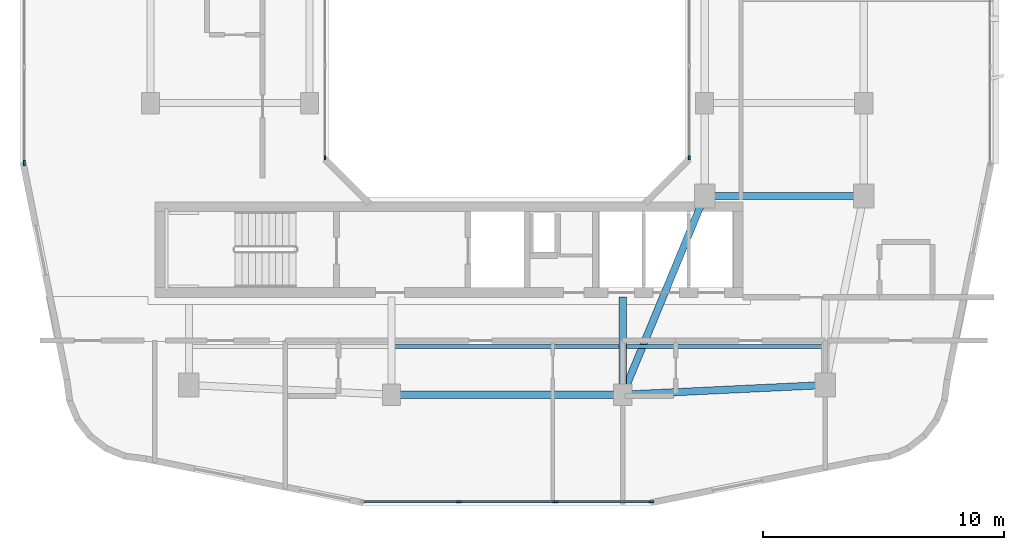
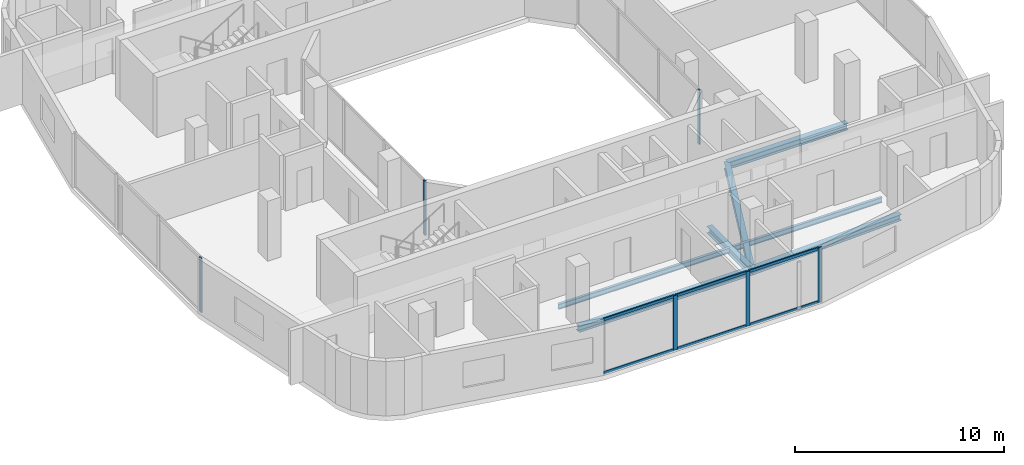
# One storey, part 2 of 14: 12 members, 7 beams, 4 elements without a shape of their own.
"""IFC4 building model written with IfcOpenShell, lengths in metres."""

from ifc_helpers import new_model, si_unit, derived_unit, direction, frame, origin, origin_2d, place, context, subcontext, project, spatial, rectangle, i_section, extrude, material, layer, layer_set, material_profile, profile_set, type_object, element, aggregate, save


model = new_model("IFC4")

# Units and contexts
model_context = context("Model", 3, precision=1e-05, world=origin(), true_north=direction((0.0, 1.0)))
body_context = subcontext(model_context, "Body", "Model", "MODEL_VIEW")
ifc_project = project(units=[si_unit("LENGTHUNIT", "METRE"), si_unit("AREAUNIT", "SQUARE_METRE"), si_unit("VOLUMEUNIT", "CUBIC_METRE"), si_unit("PLANEANGLEUNIT", "RADIAN"), si_unit("MASSUNIT", "GRAM", prefix="KILO"), derived_unit("THERMALTRANSMITTANCEUNIT", [(si_unit("POWERUNIT", "WATT"), 1), (si_unit("LENGTHUNIT", "METRE"), -2), (si_unit("THERMODYNAMICTEMPERATUREUNIT", "KELVIN"), -1)])], contexts=[model_context])

# Site, building, storey
site_placement = place(None, origin())
site = spatial("IfcSite", under=ifc_project, at=site_placement, CompositionType="ELEMENT")
building_placement = place(site_placement, origin())
building = spatial("IfcBuilding", under=site, at=building_placement, Name="Kivonza Crest Hotel", CompositionType="ELEMENT")
storey_placement = place(building_placement, frame((0.0, 0.0, 169.5)))
storey = spatial("IfcBuildingStorey", under=building, at=storey_placement, Name="L46", CompositionType="ELEMENT", Elevation=169.5)

# Beams
ifc_material_1 = material(Name="Steel S355", Category="steel")
ifc_material_profile_1 = material_profile(ifc_material_1, i_section(OverallWidth=0.300048828125, OverallDepth=0.360107421875, WebThickness=0.012451171875, FlangeThickness=0.0224609375, FilletRadius=0.027099609375, at=origin_2d()), Name="HEB 360")
ifc_profile_set_1 = profile_set([ifc_material_profile_1], Name="Steel S355")
beam_type_1 = type_object("IfcBeamType", Name="BM-HEB360", PredefinedType="SPANDREL", material=ifc_profile_set_1)
beam_1_placement = place(storey_placement, frame((16.199951171875, 9.39990234375, -0.4599609375), z_axis=(1.0, 0.0, 0.0), x_axis=(0.0, 1.0, 0.0)))
element("IfcBeam", 1, at=beam_1_placement, inside=storey, type_object=beam_type_1, Name="Tower T1 L46 perimeter spandrel S1-S2", PredefinedType="SPANDREL", context=body_context, shape_type="SweptSolid", body=[
    extrude(i_section(OverallWidth=0.300048828125, OverallDepth=0.360107421875, WebThickness=0.012451171875, FlangeThickness=0.0224609375, FilletRadius=0.027099609375, at=origin_2d()), origin(), (0.0, 0.0, 1.0), 9.60009765625),
])
beam_2_placement = place(storey_placement, frame((25.800048828125, 9.39990234375, -0.4599609375), z_axis=(0.998867283688, 0.047583080799, 0.0), x_axis=(-0.047583080799, 0.998867283688, 0.0)))
element("IfcBeam", 2, at=beam_2_placement, inside=storey, type_object=beam_type_1, Name="Tower T1 L46 perimeter spandrel S2-SE", PredefinedType="SPANDREL", context=body_context, shape_type="SweptSolid", body=[
    extrude(i_section(OverallWidth=0.300048828125, OverallDepth=0.360107421875, WebThickness=0.012451171875, FlangeThickness=0.0224609375, FilletRadius=0.027099609375, at=origin_2d()), origin(), (0.0, 0.0, 1.0), 8.409423828125),
])
ifc_material_profile_2 = material_profile(ifc_material_1, i_section(OverallWidth=0.300048828125, OverallDepth=0.39990234375, WebThickness=0.013427734375, FlangeThickness=0.02392578125, FilletRadius=0.027099609375, at=origin_2d()), Name="HEB 400")
ifc_profile_set_2 = profile_set([ifc_material_profile_2], Name="Steel S355")
beam_type_2 = type_object("IfcBeamType", Name="BM-HEB400", PredefinedType="BEAM", material=ifc_profile_set_2)
beam_3_placement = place(storey_placement, frame((25.800048828125, 9.39990234375, -0.47998046875), z_axis=(0.381022260404, 0.924565864109, 0.0), x_axis=(-0.924565864109, 0.381022260404, 0.0)))
element("IfcBeam", 3, at=beam_3_placement, inside=storey, type_object=beam_type_2, Name="Tower T1 L46 primary girder S1-TSE", PredefinedType="BEAM", context=body_context, shape_type="SweptSolid", body=[
    extrude(i_section(OverallWidth=0.300048828125, OverallDepth=0.39990234375, WebThickness=0.013427734375, FlangeThickness=0.02392578125, FilletRadius=0.027099609375, at=origin_2d()), origin(), (0.0, 0.0, 1.0), 8.923095703125),
])
beam_4_placement = place(storey_placement, frame((29.199951171875, 17.64990234375, -0.47998046875), z_axis=(1.0, 0.0, 0.0), x_axis=(0.0, 1.0, 0.0)))
element("IfcBeam", 4, at=beam_4_placement, inside=storey, type_object=beam_type_2, Name="Tower T1 L46 primary girder TSE-PSE", PredefinedType="BEAM", context=body_context, shape_type="SweptSolid", body=[
    extrude(i_section(OverallWidth=0.300048828125, OverallDepth=0.39990234375, WebThickness=0.013427734375, FlangeThickness=0.02392578125, FilletRadius=0.027099609375, at=origin_2d()), origin(), (0.0, 0.0, 1.0), 6.60009765625),
])
beam_5_placement = place(storey_placement, frame((25.800048828125, 9.39990234375, -0.47998046875), z_axis=(0.0, 1.0, 0.0), x_axis=(-1.0, 0.0, 0.0)))
element("IfcBeam", 5, at=beam_5_placement, inside=storey, type_object=beam_type_2, Name="Tower T1 L46 radial core girder RS2", PredefinedType="BEAM", context=body_context, shape_type="SweptSolid", body=[
    extrude(i_section(OverallWidth=0.300048828125, OverallDepth=0.39990234375, WebThickness=0.013427734375, FlangeThickness=0.02392578125, FilletRadius=0.027099609375, at=origin_2d()), origin(), (0.0, 0.0, 1.0), 4.050048828125),
])
ifc_material_profile_3 = material_profile(ifc_material_1, i_section(OverallWidth=0.14990234375, OverallDepth=0.300048828125, WebThickness=0.007080078125, FlangeThickness=0.0107421875, FilletRadius=0.014892578125, at=origin_2d()), Name="IPE 300")
ifc_profile_set_3 = profile_set([ifc_material_profile_3], Name="Steel S355")
beam_type_3 = type_object("IfcBeamType", Name="BM-IPE300", PredefinedType="JOIST", material=ifc_profile_set_3)
beam_6_placement = place(storey_placement, frame((16.280029296875, 11.39990234375, -0.429931640625), z_axis=(1.0, 0.0, 0.0), x_axis=(0.0, 1.0, 0.0)))
element("IfcBeam", 6, at=beam_6_placement, inside=storey, type_object=beam_type_3, Name="Tower T1 L46 South-Mid floor joist", PredefinedType="JOIST", context=body_context, shape_type="SweptSolid", body=[
    extrude(i_section(OverallWidth=0.14990234375, OverallDepth=0.300048828125, WebThickness=0.007080078125, FlangeThickness=0.0107421875, FilletRadius=0.014892578125, at=origin_2d()), origin(), (0.0, 0.0, 1.0), 9.43994140625),
])
beam_7_placement = place(storey_placement, frame((25.8798828125, 11.39990234375, -0.429931640625), z_axis=(1.0, 0.0, 0.0), x_axis=(0.0, 1.0, 0.0)))
element("IfcBeam", 7, at=beam_7_placement, inside=storey, type_object=beam_type_3, Name="Tower T1 L46 South-East floor joist", PredefinedType="JOIST", context=body_context, shape_type="SweptSolid", body=[
    extrude(i_section(OverallWidth=0.14990234375, OverallDepth=0.300048828125, WebThickness=0.007080078125, FlangeThickness=0.0107421875, FilletRadius=0.014892578125, at=origin_2d()), origin(), (0.0, 0.0, 1.0), 8.240234375),
])

# Curtain wall, member
ifc_material_2 = material(Name="Anodised bronze aluminium and low-E double glazing", Category="aluminium")
ifc_layer_1 = layer(ifc_material_2, 0.159912109375)
ifc_layer_set_1 = layer_set([ifc_layer_1], Name="Anodised bronze aluminium and low-E double glazing")
curtain_wall_type_1 = type_object("IfcCurtainWallType", Name="CW-SYS-5", PredefinedType="NOTDEFINED", material=ifc_layer_set_1)
curtain_wall_1_placement = place(storey_placement, origin())
curtain_wall_1 = element("IfcCurtainWall", 8, at=curtain_wall_1_placement, inside=storey, type_object=curtain_wall_type_1, Name="L46 unitised curtain wall CW-WELL-T1-L46-3", PredefinedType="NOTDEFINED")
ifc_material_3 = material(Name="Anodised bronze aluminium", Category="aluminium")
ifc_material_profile_4 = material_profile(ifc_material_3, rectangle(XDim=0.06494140625, YDim=0.179931640625, at=origin_2d()), Name="CW-M 65x180")
ifc_profile_set_4 = profile_set([ifc_material_profile_4], Name="Anodised bronze aluminium")
member_type_1 = type_object("IfcMemberType", Name="CW-MUL-65x180", PredefinedType="MULLION", material=ifc_profile_set_4)
member_1_placement = place(storey_placement, frame((28.56005859375, 19.232421875, 0.0), z_axis=(0.0, 0.0, 1.0), x_axis=(-1.0, 0.0, 0.0)))
member_1 = element("IfcMember", 9, at=member_1_placement, type_object=member_type_1, Name="CW-5 mullion 1", PredefinedType="MULLION", context=body_context, shape_type="SweptSolid", body=[
    extrude(rectangle(XDim=0.06494140625, YDim=0.179931640625, at=origin_2d()), origin(), (0.0, 0.0, 1.0), 3.179931640625),
])
aggregate(curtain_wall_1, [member_1])

curtain_wall_2_placement = place(storey_placement, origin())
curtain_wall_2 = element("IfcCurtainWall", 10, at=curtain_wall_2_placement, inside=storey, type_object=curtain_wall_type_1, Name="L46 unitised curtain wall CW-WELL-T1-L46-7", PredefinedType="NOTDEFINED")
member_2_placement = place(storey_placement, frame((13.43994140625, 19.232421875, 0.0), z_axis=(0.0, 0.0, 1.0), x_axis=(1.0, 0.0, 0.0)))
member_2 = element("IfcMember", 11, at=member_2_placement, type_object=member_type_1, Name="CW-5 mullion 4", PredefinedType="MULLION", context=body_context, shape_type="SweptSolid", body=[
    extrude(rectangle(XDim=0.06494140625, YDim=0.179931640625, at=origin_2d()), origin(), (0.0, 0.0, 1.0), 3.179931640625),
])
aggregate(curtain_wall_2, [member_2])

# Curtain wall, members
ifc_layer_2 = layer(ifc_material_2, 0.179931640625)
ifc_layer_set_2 = layer_set([ifc_layer_2], Name="Anodised bronze aluminium and low-E double glazing")
curtain_wall_type_2 = type_object("IfcCurtainWallType", Name="CW-SYS-3", PredefinedType="NOTDEFINED", material=ifc_layer_set_2)
curtain_wall_3_placement = place(storey_placement, origin())
curtain_wall_3 = element("IfcCurtainWall", 12, at=curtain_wall_3_placement, inside=storey, type_object=curtain_wall_type_2, Name="L46 unitised curtain wall CW-T1-L46-08", PredefinedType="NOTDEFINED")
ifc_material_profile_5 = material_profile(ifc_material_3, rectangle(XDim=0.074951171875, YDim=0.219970703125, at=origin_2d()), Name="CW-M 75x220")
ifc_profile_set_5 = profile_set([ifc_material_profile_5], Name="Anodised bronze aluminium")
member_type_2 = type_object("IfcMemberType", Name="CW-MUL-75x220", PredefinedType="MULLION", material=ifc_profile_set_5)
member_3_placement = place(storey_placement, frame((18.993408203125, 4.9599609375, 0.0), z_axis=(0.0, 0.0, 1.0), x_axis=(0.0, 1.0, 0.0)))
member_3 = element("IfcMember", 13, at=member_3_placement, type_object=member_type_2, Name="CW-3 mullion 2", PredefinedType="MULLION", context=body_context, shape_type="SweptSolid", body=[
    extrude(rectangle(XDim=0.074951171875, YDim=0.219970703125, at=origin_2d()), origin(), (0.0, 0.0, 1.0), 3.179931640625),
])
member_4_placement = place(storey_placement, frame((23.006591796875, 4.9599609375, 0.0), z_axis=(0.0, 0.0, 1.0), x_axis=(0.0, 1.0, 0.0)))
member_4 = element("IfcMember", 14, at=member_4_placement, type_object=member_type_2, Name="CW-3 mullion 3", PredefinedType="MULLION", context=body_context, shape_type="SweptSolid", body=[
    extrude(rectangle(XDim=0.074951171875, YDim=0.219970703125, at=origin_2d()), origin(), (0.0, 0.0, 1.0), 3.179931640625),
])
member_5_placement = place(storey_placement, frame((26.982421875, 4.9599609375, 0.0), z_axis=(0.0, 0.0, 1.0), x_axis=(0.0, 1.0, 0.0)))
member_5 = element("IfcMember", 15, at=member_5_placement, type_object=member_type_2, Name="CW-3 mullion 4", PredefinedType="MULLION", context=body_context, shape_type="SweptSolid", body=[
    extrude(rectangle(XDim=0.074951171875, YDim=0.219970703125, at=origin_2d()), origin(), (0.0, 0.0, 1.0), 3.179931640625),
])

# Curtain wall, member
curtain_wall_4_placement = place(storey_placement, origin())
curtain_wall_4 = element("IfcCurtainWall", 16, at=curtain_wall_4_placement, inside=storey, type_object=curtain_wall_type_2, Name="L46 unitised curtain wall CW-T1-L46-35", PredefinedType="NOTDEFINED")
member_6_placement = place(storey_placement, frame((0.9599609375, 19.017578125, 0.0), z_axis=(0.0, 0.0, 1.0), x_axis=(1.0, 0.0, 0.0)))
member_6 = element("IfcMember", 17, at=member_6_placement, type_object=member_type_2, Name="CW-3 mullion 4", PredefinedType="MULLION", context=body_context, shape_type="SweptSolid", body=[
    extrude(rectangle(XDim=0.074951171875, YDim=0.219970703125, at=origin_2d()), origin(), (0.0, 0.0, 1.0), 3.179931640625),
])
aggregate(curtain_wall_4, [member_6])

# Member
ifc_material_profile_6 = material_profile(ifc_material_3, rectangle(XDim=0.074951171875, YDim=0.159912109375, at=origin_2d()), Name="CW-T 75x160")
ifc_profile_set_6 = profile_set([ifc_material_profile_6], Name="Anodised bronze aluminium")
member_type_3 = type_object("IfcMemberType", Name="CW-TRN-75x160", PredefinedType="USERDEFINED", material=ifc_profile_set_6)
member_7_placement = place(storey_placement, frame((15.054931640625, 4.9599609375, 0.03759765625), z_axis=(1.0, 0.0, 0.0), x_axis=(0.0, 1.0, 0.0)))
member_7 = element("IfcMember", 18, at=member_7_placement, type_object=member_type_3, Name="CW-3 transom 1.1", ObjectType="TRANSOM", PredefinedType="USERDEFINED", context=body_context, shape_type="SweptSolid", body=[
    extrude(rectangle(XDim=0.074951171875, YDim=0.159912109375, at=origin_2d()), origin(), (0.0, 0.0, 1.0), 3.90087890625),
])

member_8_placement = place(storey_placement, frame((15.054931640625, 4.9599609375, 3.142578125), z_axis=(1.0, 0.0, 0.0), x_axis=(0.0, 1.0, 0.0)))
member_8 = element("IfcMember", 19, at=member_8_placement, type_object=member_type_3, Name="CW-3 transom 1.2", ObjectType="TRANSOM", PredefinedType="USERDEFINED", context=body_context, shape_type="SweptSolid", body=[
    extrude(rectangle(XDim=0.074951171875, YDim=0.159912109375, at=origin_2d()), origin(), (0.0, 0.0, 1.0), 3.90087890625),
])

member_9_placement = place(storey_placement, frame((19.03076171875, 4.9599609375, 0.03759765625), z_axis=(1.0, 0.0, 0.0), x_axis=(0.0, 1.0, 0.0)))
member_9 = element("IfcMember", 20, at=member_9_placement, type_object=member_type_3, Name="CW-3 transom 2.1", ObjectType="TRANSOM", PredefinedType="USERDEFINED", context=body_context, shape_type="SweptSolid", body=[
    extrude(rectangle(XDim=0.074951171875, YDim=0.159912109375, at=origin_2d()), origin(), (0.0, 0.0, 1.0), 3.9384765625),
])

member_10_placement = place(storey_placement, frame((19.03076171875, 4.9599609375, 3.142578125), z_axis=(1.0, 0.0, 0.0), x_axis=(0.0, 1.0, 0.0)))
member_10 = element("IfcMember", 21, at=member_10_placement, type_object=member_type_3, Name="CW-3 transom 2.2", ObjectType="TRANSOM", PredefinedType="USERDEFINED", context=body_context, shape_type="SweptSolid", body=[
    extrude(rectangle(XDim=0.074951171875, YDim=0.159912109375, at=origin_2d()), origin(), (0.0, 0.0, 1.0), 3.9384765625),
])

member_11_placement = place(storey_placement, frame((23.044189453125, 4.9599609375, 0.03759765625), z_axis=(1.0, 0.0, 0.0), x_axis=(0.0, 1.0, 0.0)))
member_11 = element("IfcMember", 22, at=member_11_placement, type_object=member_type_3, Name="CW-3 transom 3.1", ObjectType="TRANSOM", PredefinedType="USERDEFINED", context=body_context, shape_type="SweptSolid", body=[
    extrude(rectangle(XDim=0.074951171875, YDim=0.159912109375, at=origin_2d()), origin(), (0.0, 0.0, 1.0), 3.90087890625),
])

member_12_placement = place(storey_placement, frame((23.044189453125, 4.9599609375, 3.142578125), z_axis=(1.0, 0.0, 0.0), x_axis=(0.0, 1.0, 0.0)))
member_12 = element("IfcMember", 23, at=member_12_placement, type_object=member_type_3, Name="CW-3 transom 3.2", ObjectType="TRANSOM", PredefinedType="USERDEFINED", context=body_context, shape_type="SweptSolid", body=[
    extrude(rectangle(XDim=0.074951171875, YDim=0.159912109375, at=origin_2d()), origin(), (0.0, 0.0, 1.0), 3.90087890625),
])

aggregate(curtain_wall_3, [member_3, member_4, member_5, member_7, member_8, member_9, member_10, member_11, member_12])

save(model, "model.ifc")
